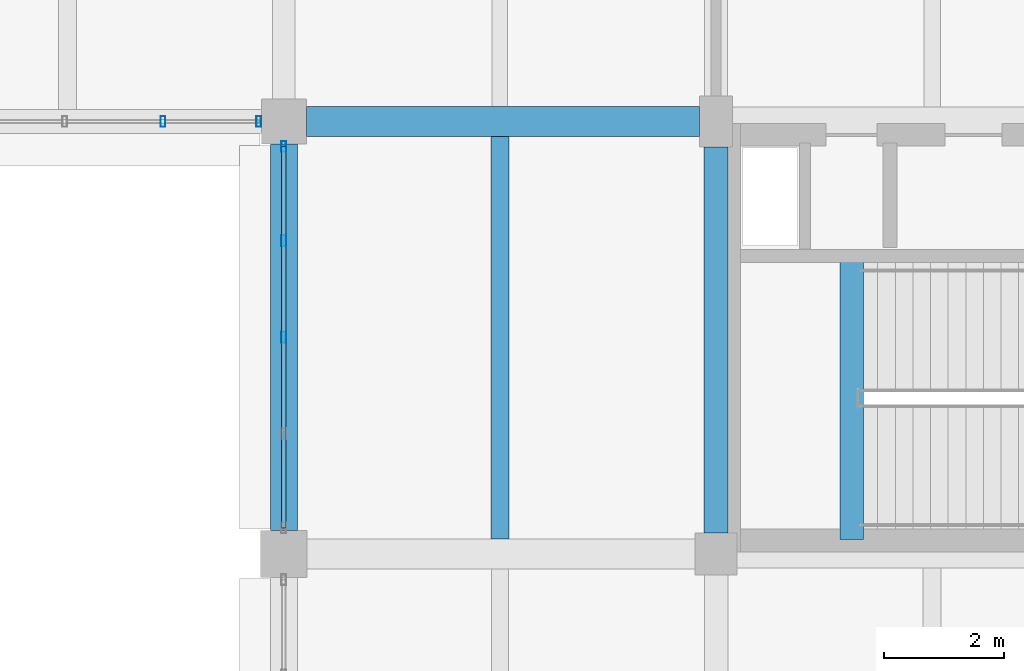
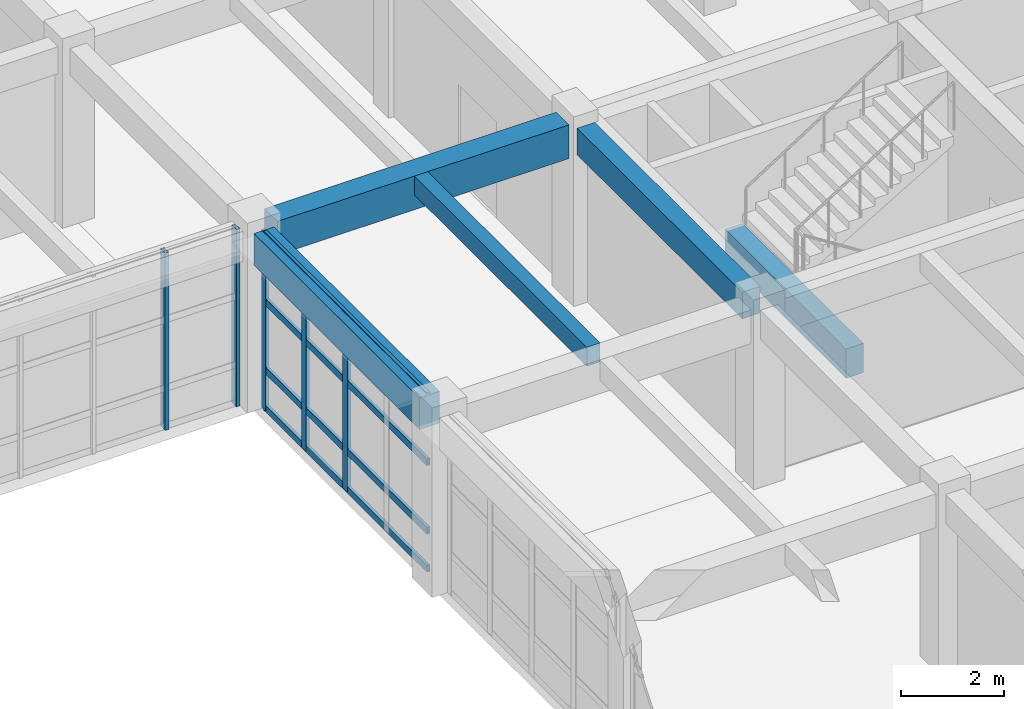
# One storey, part 109 of 171: 9 members, 5 beams, 2 elements without a shape of their own.
"""IFC4 building model written with IfcOpenShell, lengths in metres."""

from ifc_helpers import new_model, si_unit, direction, frame, origin, origin_2d, place, context, subcontext, project, spatial, rectangle, hollow_rectangle, extrude, material, material_profile, profile_set, type_object, element, aggregate, save


model = new_model("IFC4")

# Units and contexts
model_context = context("Model", 3, precision=1e-05, world=origin(), true_north=direction((0.0, 1.0)))
body_context = subcontext(model_context, "Body", "Model", "MODEL_VIEW")
ifc_project = project(units=[si_unit("LENGTHUNIT", "METRE"), si_unit("AREAUNIT", "SQUARE_METRE"), si_unit("VOLUMEUNIT", "CUBIC_METRE"), si_unit("PLANEANGLEUNIT", "RADIAN"), si_unit("MASSUNIT", "GRAM", prefix="KILO")], contexts=[model_context])

# Site, building, storey
site_placement = place(None, origin())
site = spatial("IfcSite", under=ifc_project, at=site_placement, CompositionType="ELEMENT")
building_placement = place(site_placement, origin())
building = spatial("IfcBuilding", under=site, at=building_placement, Name="Thalmaran Polytechnic", CompositionType="ELEMENT")
storey_placement = place(building_placement, frame((0.0, 0.0, 5.39990234375)))
storey = spatial("IfcBuildingStorey", under=building, at=storey_placement, Name="L01", CompositionType="ELEMENT", Elevation=5.39990234375)

# Beams
ifc_material_1 = material(Name="Concrete C40/50", Category="concrete")
ifc_material_profile_1 = material_profile(ifc_material_1, rectangle(XDim=0.5, YDim=0.800048828125, at=origin_2d()), Name="RC 500x800")
ifc_profile_set_1 = profile_set([ifc_material_profile_1], Name="Concrete C40/50")
beam_type_1 = type_object("IfcBeamType", Name="BM-RC02", PredefinedType="BEAM", material=ifc_profile_set_1)
beam_1_placement = place(storey_placement, frame((129.97509765625, 93.60009765625, 3.81005859375), z_axis=(1.0, 0.0, 0.0), x_axis=(0.0, 1.0, 0.0)))
element("IfcBeam", 1, at=beam_1_placement, inside=storey, type_object=beam_type_1, Name="Grid Beam B02 L01 X(18,13)", PredefinedType="BEAM", context=body_context, shape_type="SweptSolid", body=[
    extrude(rectangle(XDim=0.5, YDim=0.800048828125, at=origin_2d()), origin(), (0.0, 0.0, 1.0), 6.5498046875),
])
ifc_material_profile_2 = material_profile(ifc_material_1, rectangle(XDim=0.39990234375, YDim=0.6298828125, at=origin_2d()), Name="RC 400x630")
ifc_profile_set_2 = profile_set([ifc_material_profile_2], Name="Concrete C40/50")
beam_type_2 = type_object("IfcBeamType", Name="BM-RC07", PredefinedType="BEAM", material=ifc_profile_set_2)
beam_2_placement = place(storey_placement, frame((136.800048828125, 86.75, 3.89501953125), z_axis=(0.0, 1.0, 0.0), x_axis=(-1.0, 0.0, 0.0)))
element("IfcBeam", 2, at=beam_2_placement, inside=storey, type_object=beam_type_2, Name="Grid Beam B07 L01 Y(19,12)", PredefinedType="BEAM", context=body_context, shape_type="SweptSolid", body=[
    extrude(rectangle(XDim=0.39990234375, YDim=0.6298828125, at=origin_2d()), origin(), (0.0, 0.0, 1.0), 6.425048828125),
])
ifc_material_profile_3 = material_profile(ifc_material_1, rectangle(XDim=0.389892578125, YDim=0.695068359375, at=origin_2d()), Name="RC 390x695")
ifc_profile_set_3 = profile_set([ifc_material_profile_3], Name="Concrete C40/50")
beam_type_3 = type_object("IfcBeamType", Name="BM-RC10", PredefinedType="BEAM", material=ifc_profile_set_3)
beam_3_placement = place(storey_placement, frame((139.06005859375, 86.639892578125, 1.7900390625), z_axis=(0.0, 1.0, 0.0), x_axis=(-1.0, 0.0, 0.0)))
element("IfcBeam", 3, at=beam_3_placement, inside=storey, type_object=beam_type_3, Name="ST5 L01 Half-Landing Trimmer Beam", PredefinedType="BEAM", context=body_context, shape_type="SweptSolid", body=[
    extrude(rectangle(XDim=0.389892578125, YDim=0.695068359375, at=origin_2d()), origin(), (0.0, 0.0, 1.0), 4.7001953125),
])
ifc_material_profile_4 = material_profile(ifc_material_1, rectangle(XDim=0.300048828125, YDim=0.449951171875, at=origin_2d()), Name="RC 300x450")
ifc_profile_set_4 = profile_set([ifc_material_profile_4], Name="Concrete C40/50")
beam_type_4 = type_object("IfcBeamType", Name="BM-RC12", PredefinedType="JOIST", material=ifc_profile_set_4)
beam_4_placement = place(storey_placement, frame((133.199951171875, 86.64990234375, 3.985107421875), z_axis=(0.0, 1.0, 0.0), x_axis=(-1.0, 0.0, 0.0)))
element("IfcBeam", 4, at=beam_4_placement, inside=storey, type_object=beam_type_4, Name="Secondary Floor Rib RB02 L01 (18,12)", PredefinedType="JOIST", context=body_context, shape_type="SweptSolid", body=[
    extrude(rectangle(XDim=0.300048828125, YDim=0.449951171875, at=origin_2d()), origin(), (0.0, 0.0, 1.0), 6.7001953125),
])
ifc_material_profile_5 = material_profile(ifc_material_1, rectangle(XDim=0.449951171875, YDim=0.7548828125, at=origin_2d()), Name="RC 450x755")
ifc_profile_set_5 = profile_set([ifc_material_profile_5], Name="Concrete C40/50")
beam_type_5 = type_object("IfcBeamType", Name="BM-SP02", PredefinedType="SPANDREL", material=ifc_profile_set_5)
beam_5_placement = place(storey_placement, frame((129.60009765625, 86.7900390625, 3.83251953125), z_axis=(0.0, 1.0, 0.0), x_axis=(-1.0, 0.0, 0.0)))
element("IfcBeam", 5, at=beam_5_placement, inside=storey, type_object=beam_type_5, Name="Grid Beam SP02 L01 Y(18,12)", PredefinedType="SPANDREL", context=body_context, shape_type="SweptSolid", body=[
    extrude(rectangle(XDim=0.449951171875, YDim=0.7548828125, at=origin_2d()), origin(), (0.0, 0.0, 1.0), 6.43505859375),
])

# Curtain wall, members
ifc_material_2 = material(Name="Aluminium 6063-T6", Category="aluminium")
curtain_wall_type = type_object("IfcCurtainWallType", Name="CW-UC02", PredefinedType="USERDEFINED", material=ifc_material_2)
curtain_wall_1_placement = place(storey_placement, origin())
curtain_wall_1 = element("IfcCurtainWall", 6, at=curtain_wall_1_placement, inside=storey, type_object=curtain_wall_type, Name="Curtain Wall CW-L01-184", ObjectType="UNITISED CURTAIN WALL", PredefinedType="USERDEFINED")
ifc_material_profile_6 = material_profile(ifc_material_2, hollow_rectangle(XDim=0.080078125, YDim=0.179931640625, WallThickness=0.0048828125, at=origin_2d()), Name="RHS 180x80x5.0")
ifc_profile_set_6 = profile_set([ifc_material_profile_6], Name="Aluminium 6063-T6")
member_type_1 = type_object("IfcMemberType", Name="CW-MUL1", PredefinedType="MULLION", material=ifc_profile_set_6)
member_1_placement = place(storey_placement, frame((129.60009765625, 90.007568359375, 0.0), z_axis=(0.0, 0.0, 1.0), x_axis=(1.0, 0.0, 0.0)))
member_1 = element("IfcMember", 7, at=member_1_placement, type_object=member_type_1, Name="CW-L01-184 Mullion 3", PredefinedType="MULLION", context=body_context, shape_type="SweptSolid", body=[
    extrude(hollow_rectangle(XDim=0.080078125, YDim=0.179931640625, WallThickness=0.0048828125, at=origin_2d()), origin(), (0.0, 0.0, 1.0), 4.210205078125),
])
member_2_placement = place(storey_placement, frame((129.60009765625, 91.6162109375, 0.0), z_axis=(0.0, 0.0, 1.0), x_axis=(1.0, 0.0, 0.0)))
member_2 = element("IfcMember", 8, at=member_2_placement, type_object=member_type_1, Name="CW-L01-184 Mullion 4", PredefinedType="MULLION", context=body_context, shape_type="SweptSolid", body=[
    extrude(hollow_rectangle(XDim=0.080078125, YDim=0.179931640625, WallThickness=0.0048828125, at=origin_2d()), origin(), (0.0, 0.0, 1.0), 4.210205078125),
])
member_3_placement = place(storey_placement, frame((129.60009765625, 93.18505859375, 0.0), z_axis=(0.0, 0.0, 1.0), x_axis=(1.0, 0.0, 0.0)))
member_3 = element("IfcMember", 9, at=member_3_placement, type_object=member_type_1, Name="CW-L01-184 Mullion 5", PredefinedType="MULLION", context=body_context, shape_type="SweptSolid", body=[
    extrude(hollow_rectangle(XDim=0.080078125, YDim=0.179931640625, WallThickness=0.0048828125, at=origin_2d()), origin(), (0.0, 0.0, 1.0), 4.210205078125),
])

curtain_wall_2_placement = place(storey_placement, origin())
curtain_wall_2 = element("IfcCurtainWall", 10, at=curtain_wall_2_placement, inside=storey, type_object=curtain_wall_type, Name="Curtain Wall CW-L01-185", ObjectType="UNITISED CURTAIN WALL", PredefinedType="USERDEFINED")
member_4_placement = place(storey_placement, frame((129.18505859375, 93.60009765625, 0.0), z_axis=(0.0, 0.0, 1.0), x_axis=(1.0, 0.0, 0.0)))
member_4 = element("IfcMember", 11, at=member_4_placement, type_object=member_type_1, Name="CW-L01-185 Mullion 1", PredefinedType="MULLION", context=body_context, shape_type="SweptSolid", body=[
    extrude(hollow_rectangle(XDim=0.080078125, YDim=0.179931640625, WallThickness=0.0048828125, at=origin_2d()), origin(), (0.0, 0.0, 1.0), 4.210205078125),
])
member_5_placement = place(storey_placement, frame((127.58740234375, 93.60009765625, 0.0), z_axis=(0.0, 0.0, 1.0), x_axis=(1.0, 0.0, 0.0)))
member_5 = element("IfcMember", 12, at=member_5_placement, type_object=member_type_1, Name="CW-L01-185 Mullion 2", PredefinedType="MULLION", context=body_context, shape_type="SweptSolid", body=[
    extrude(hollow_rectangle(XDim=0.080078125, YDim=0.179931640625, WallThickness=0.0048828125, at=origin_2d()), origin(), (0.0, 0.0, 1.0), 4.210205078125),
])
aggregate(curtain_wall_2, [member_4, member_5])

# Member
ifc_material_profile_7 = material_profile(ifc_material_2, hollow_rectangle(XDim=0.070068359375, YDim=0.159912109375, WallThickness=0.00390625, at=origin_2d()), Name="AL 160x70x4.0")
ifc_profile_set_7 = profile_set([ifc_material_profile_7], Name="Aluminium 6063-T6")
member_type_2 = type_object("IfcMemberType", Name="CW-TRN1", PredefinedType="USERDEFINED", material=ifc_profile_set_7)
member_6_placement = place(storey_placement, frame((129.60009765625, 86.830078125, 0.06005859375), z_axis=(0.0, 1.0, 0.0), x_axis=(-1.0, 0.0, 0.0)))
member_6 = element("IfcMember", 13, at=member_6_placement, type_object=member_type_2, Name="CW-L01-184 Transom 1", ObjectType="TRANSOM", PredefinedType="USERDEFINED", context=body_context, shape_type="SweptSolid", body=[
    extrude(hollow_rectangle(XDim=0.070068359375, YDim=0.159912109375, WallThickness=0.00390625, at=origin_2d()), origin(), (0.0, 0.0, 1.0), 6.35498046875),
])

member_7_placement = place(storey_placement, frame((129.60009765625, 86.830078125, 0.960205078125), z_axis=(0.0, 1.0, 0.0), x_axis=(-1.0, 0.0, 0.0)))
member_7 = element("IfcMember", 14, at=member_7_placement, type_object=member_type_2, Name="CW-L01-184 Transom 2", ObjectType="TRANSOM", PredefinedType="USERDEFINED", context=body_context, shape_type="SweptSolid", body=[
    extrude(hollow_rectangle(XDim=0.070068359375, YDim=0.159912109375, WallThickness=0.00390625, at=origin_2d()), origin(), (0.0, 0.0, 1.0), 6.35498046875),
])

member_8_placement = place(storey_placement, frame((129.60009765625, 86.830078125, 2.585205078125), z_axis=(0.0, 1.0, 0.0), x_axis=(-1.0, 0.0, 0.0)))
member_8 = element("IfcMember", 15, at=member_8_placement, type_object=member_type_2, Name="CW-L01-184 Transom 3", ObjectType="TRANSOM", PredefinedType="USERDEFINED", context=body_context, shape_type="SweptSolid", body=[
    extrude(hollow_rectangle(XDim=0.070068359375, YDim=0.159912109375, WallThickness=0.00390625, at=origin_2d()), origin(), (0.0, 0.0, 1.0), 6.35498046875),
])

member_9_placement = place(storey_placement, frame((129.60009765625, 86.830078125, 4.150146484375), z_axis=(0.0, 1.0, 0.0), x_axis=(-1.0, 0.0, 0.0)))
member_9 = element("IfcMember", 16, at=member_9_placement, type_object=member_type_2, Name="CW-L01-184 Transom 4", ObjectType="TRANSOM", PredefinedType="USERDEFINED", context=body_context, shape_type="SweptSolid", body=[
    extrude(hollow_rectangle(XDim=0.070068359375, YDim=0.159912109375, WallThickness=0.00390625, at=origin_2d()), origin(), (0.0, 0.0, 1.0), 6.35498046875),
])

aggregate(curtain_wall_1, [member_1, member_2, member_3, member_6, member_7, member_8, member_9])

save(model, "model.ifc")
